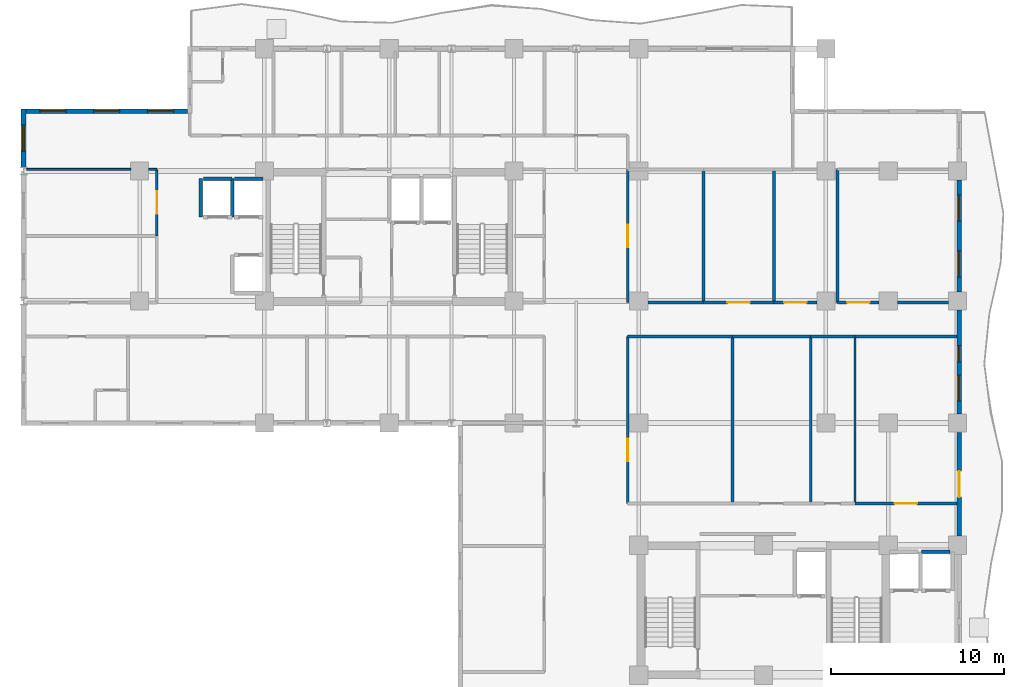
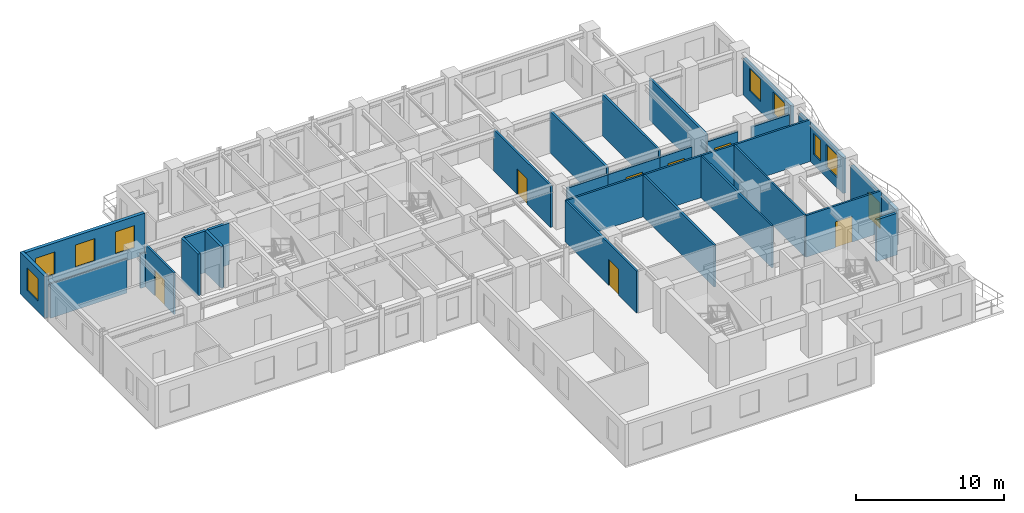
# One storey, part 7 of 13: 31 walls, 8 doors, 8 windows, 16 openings.
"""IFC4 building model written with IfcOpenShell, lengths in metres."""

from ifc_helpers import new_model, si_unit, direction, frame, frame_2d, origin, place, context, subcontext, project, spatial, rectangle, extrude, material, layer, layer_set, type_object, element, fill, save


model = new_model("IFC4")

# Units and contexts
model_context = context("Model", 3, precision=1e-05, world=origin(), true_north=direction((0.0, 1.0)))
body_context = subcontext(model_context, "Body", "Model", "MODEL_VIEW")
ifc_project = project(units=[si_unit("LENGTHUNIT", "METRE"), si_unit("AREAUNIT", "SQUARE_METRE"), si_unit("VOLUMEUNIT", "CUBIC_METRE"), si_unit("PLANEANGLEUNIT", "RADIAN"), si_unit("MASSUNIT", "GRAM", prefix="KILO")], contexts=[model_context])

# Site, building, storey
site_placement = place(None, origin())
site = spatial("IfcSite", under=ifc_project, at=site_placement, CompositionType="ELEMENT")
building_placement = place(site_placement, origin())
building = spatial("IfcBuilding", under=site, at=building_placement, Name="Kaliganga Portal Commons", CompositionType="ELEMENT")
storey_placement = place(building_placement, frame((0.0, 0.0, 177.199951171875)))
storey = spatial("IfcBuildingStorey", under=building, at=storey_placement, Name="L45", CompositionType="ELEMENT", Elevation=177.199951171875)

# Wall, opening, door
ifc_material_1 = material(Name="Insulated Aluminium-Clad Spandrel Assembly", Category="aluminium")
ifc_layer_1 = layer(ifc_material_1, 0.260009765625)
ifc_layer_set_1 = layer_set([ifc_layer_1], Name="Insulated Aluminium-Clad Spandrel Assembly")
wall_type_1 = type_object("IfcWallType", Name="WL-EXT-SPAND-260", PredefinedType="STANDARD", material=ifc_layer_set_1)
wall_1_placement = place(storey_placement, frame((54.5, 21.073974609375, 0.0), z_axis=(0.0, 0.0, 1.0), x_axis=(0.0, -1.0, 0.0)))
wall_1 = element("IfcWall", 1, at=wall_1_placement, inside=storey, type_object=wall_type_1, Name="Exterior Envelope Wall L45 P1-E03-S3", PredefinedType="STANDARD", context=body_context, shape_type="SweptSolid", body=[
    extrude(rectangle(XDim=5.998046875, YDim=0.260009765625, at=frame_2d((2.9990234375, 0.0))), origin(), (0.0, 0.0, 1.0), 2.989990234375),
])
opening_1_placement = place(wall_1_placement, frame((2.2490234375, 0.0, 0.0)))
opening_1 = element("IfcOpeningElement", 2, at=opening_1_placement, cuts=wall_1, Name="Opening BD-01", PredefinedType="OPENING", context=body_context, shape_type="SweptSolid", body=[
    extrude(rectangle(XDim=1.5, YDim=2.14990234375, at=frame_2d((0.75, 1.074951171875))), frame((0.0, 0.14013671875, 0.0), z_axis=(0.0, -1.0, 0.0), x_axis=(1.0, 0.0, 0.0)), (0.0, 0.0, 1.0), 0.280029296875),
])
ifc_material_2 = material(Name="Anodized Aluminium and Laminated Safety Glass", Category="aluminium")
door_type_1 = type_object("IfcDoorType", Name="DR-BALC-1500", OperationType="SLIDING_TO_LEFT", PredefinedType="DOOR", material=ifc_material_2)
door_1_placement = place(opening_1_placement, origin())
door_1 = element("IfcDoor", 3, at=door_1_placement, inside=storey, type_object=door_type_1, Name="Balcony Sliding Door L45 balc_east", OperationType="SLIDING_TO_LEFT", OverallHeight=2.14990234375, OverallWidth=1.5, PredefinedType="DOOR", context=body_context, shape_type="SweptSolid", body=[
    extrude(rectangle(XDim=1.5, YDim=2.14990234375, at=frame_2d((0.75, 1.074951171875))), frame((0.0, 0.02490234375, 0.0), z_axis=(0.0, -1.0, 0.0), x_axis=(1.0, 0.0, 0.0)), (0.0, 0.0, 1.0), 0.050048828125),
])
fill(opening_1, door_1)

# Wall, openings, windows
wall_2_placement = place(storey_placement, frame((54.5, 28.1240234375, 0.0), z_axis=(0.0, 0.0, 1.0), x_axis=(0.0, -1.0, 0.0)))
wall_2 = element("IfcWall", 4, at=wall_2_placement, inside=storey, type_object=wall_type_1, Name="Exterior Envelope Wall L45 P1-E03-S4", PredefinedType="STANDARD", context=body_context, shape_type="SweptSolid", body=[
    extrude(rectangle(XDim=5.998046875, YDim=0.260009765625, at=frame_2d((2.9990234375, 0.0))), origin(), (0.0, 0.0, 1.0), 2.989990234375),
])
opening_2_placement = place(wall_2_placement, frame((3.74853515625, 0.0, 0.85009765625)))
opening_2 = element("IfcOpeningElement", 5, at=opening_2_placement, cuts=wall_2, Name="Opening W-02", PredefinedType="OPENING", context=body_context, shape_type="SweptSolid", body=[
    extrude(rectangle(XDim=1.5, YDim=1.85009765625, at=frame_2d((0.75, 0.925048828125))), frame((0.0, 0.14013671875, 0.0), z_axis=(0.0, -1.0, 0.0), x_axis=(1.0, 0.0, 0.0)), (0.0, 0.0, 1.0), 0.280029296875),
])
opening_3_placement = place(wall_2_placement, frame((2.044189453125, 0.0, 0.85009765625)))
opening_3 = element("IfcOpeningElement", 6, at=opening_3_placement, cuts=wall_2, Name="Opening W-04", PredefinedType="OPENING", context=body_context, shape_type="SweptSolid", body=[
    extrude(rectangle(XDim=0.949951171875, YDim=1.75, at=frame_2d((0.47509765625, 0.875))), frame((0.0, 0.14013671875, 0.0), z_axis=(0.0, -1.0, 0.0), x_axis=(1.0, 0.0, 0.0)), (0.0, 0.0, 1.0), 0.280029296875),
])
ifc_material_3 = material(Name="Thermally Broken Aluminium and Low-E Double Glazing", Category="aluminium")
window_type_1 = type_object("IfcWindowType", Name="WIN-NARROW-950", PartitioningType="SINGLE_PANEL", PredefinedType="WINDOW", material=ifc_material_3)
window_1_placement = place(opening_3_placement, origin())
window_1 = element("IfcWindow", 7, at=window_1_placement, inside=storey, type_object=window_type_1, Name="Facade Window L45-P1E03S4-N5", OverallHeight=1.75, OverallWidth=0.949951171875, PartitioningType="SINGLE_PANEL", PredefinedType="WINDOW", context=body_context, shape_type="SweptSolid", body=[
    extrude(rectangle(XDim=0.949951171875, YDim=1.75, at=frame_2d((0.47509765625, 0.875))), frame((0.0, 0.030029296875, 0.0), z_axis=(0.0, -1.0, 0.0), x_axis=(1.0, 0.0, 0.0)), (0.0, 0.0, 1.0), 0.06005859375),
])
fill(opening_3, window_1)
window_type_2 = type_object("IfcWindowType", Name="WIN-STD-1500", PartitioningType="DOUBLE_PANEL_VERTICAL", PredefinedType="WINDOW", material=ifc_material_3)
window_2_placement = place(opening_2_placement, origin())
window_2 = element("IfcWindow", 8, at=window_2_placement, inside=storey, type_object=window_type_2, Name="Facade Window L45-P1E03S4-01", OverallHeight=1.85009765625, OverallWidth=1.5, PartitioningType="SINGLE_PANEL", PredefinedType="WINDOW", context=body_context, shape_type="SweptSolid", body=[
    extrude(rectangle(XDim=1.5, YDim=1.85009765625, at=frame_2d((0.75, 0.925048828125))), frame((0.0, 0.030029296875, 0.0), z_axis=(0.0, -1.0, 0.0), x_axis=(1.0, 0.0, 0.0)), (0.0, 0.0, 1.0), 0.06005859375),
])
fill(opening_2, window_2)

wall_3_placement = place(storey_placement, frame((54.5, 35.6240234375, 0.0), z_axis=(0.0, 0.0, 1.0), x_axis=(0.0, -1.0, 0.0)))
wall_3 = element("IfcWall", 9, at=wall_3_placement, inside=storey, type_object=wall_type_1, Name="Exterior Envelope Wall L45 P1-E03-S5", PredefinedType="STANDARD", context=body_context, shape_type="SweptSolid", body=[
    extrude(rectangle(XDim=6.447998046875, YDim=0.260009765625, at=frame_2d((3.22412109375, 0.0))), origin(), (0.0, 0.0, 1.0), 2.989990234375),
])
opening_4_placement = place(wall_3_placement, frame((0.862060546875, 0.0, 0.85009765625)))
opening_4 = element("IfcOpeningElement", 10, at=opening_4_placement, cuts=wall_3, Name="Opening W-02", PredefinedType="OPENING", context=body_context, shape_type="SweptSolid", body=[
    extrude(rectangle(XDim=1.5, YDim=1.85009765625, at=frame_2d((0.75, 0.925048828125))), frame((0.0, 0.14013671875, 0.0), z_axis=(0.0, -1.0, 0.0), x_axis=(1.0, 0.0, 0.0)), (0.0, 0.0, 1.0), 0.280029296875),
])
opening_5_placement = place(wall_3_placement, frame((4.0859375, 0.0, 0.85009765625)))
opening_5 = element("IfcOpeningElement", 11, at=opening_5_placement, cuts=wall_3, Name="Opening W-02", PredefinedType="OPENING", context=body_context, shape_type="SweptSolid", body=[
    extrude(rectangle(XDim=1.5, YDim=1.85009765625, at=frame_2d((0.75, 0.925048828125))), frame((0.0, 0.14013671875, 0.0), z_axis=(0.0, -1.0, 0.0), x_axis=(1.0, 0.0, 0.0)), (0.0, 0.0, 1.0), 0.280029296875),
])
window_3_placement = place(opening_4_placement, origin())
window_3 = element("IfcWindow", 12, at=window_3_placement, inside=storey, type_object=window_type_2, Name="Facade Window L45-P1E03S5-00", OverallHeight=1.85009765625, OverallWidth=1.5, PartitioningType="SINGLE_PANEL", PredefinedType="WINDOW", context=body_context, shape_type="SweptSolid", body=[
    extrude(rectangle(XDim=1.5, YDim=1.85009765625, at=frame_2d((0.75, 0.925048828125))), frame((0.0, 0.030029296875, 0.0), z_axis=(0.0, -1.0, 0.0), x_axis=(1.0, 0.0, 0.0)), (0.0, 0.0, 1.0), 0.06005859375),
])
fill(opening_4, window_3)
window_4_placement = place(opening_5_placement, origin())
window_4 = element("IfcWindow", 13, at=window_4_placement, inside=storey, type_object=window_type_2, Name="Facade Window L45-P1E03S5-01", OverallHeight=1.85009765625, OverallWidth=1.5, PartitioningType="SINGLE_PANEL", PredefinedType="WINDOW", context=body_context, shape_type="SweptSolid", body=[
    extrude(rectangle(XDim=1.5, YDim=1.85009765625, at=frame_2d((0.75, 0.925048828125))), frame((0.0, 0.030029296875, 0.0), z_axis=(0.0, -1.0, 0.0), x_axis=(1.0, 0.0, 0.0)), (0.0, 0.0, 1.0), 0.06005859375),
])
fill(opening_5, window_4)

wall_4_placement = place(storey_placement, frame((0.635009765625, 39.60009765625, 0.0), z_axis=(0.0, 0.0, 1.0), x_axis=(1.0, 0.0, 0.0)))
wall_4 = element("IfcWall", 14, at=wall_4_placement, inside=storey, type_object=wall_type_1, Name="Exterior Envelope Wall L45 P1-E08-S1", PredefinedType="STANDARD", context=body_context, shape_type="SweptSolid", body=[
    extrude(rectangle(XDim=9.330078125, YDim=0.260009765625, at=frame_2d((4.6650390625, 0.0))), origin(), (0.0, 0.0, 1.0), 3.43994140625),
])
opening_6_placement = place(wall_4_placement, frame((0.804931640625, 0.0, 0.85009765625)))
opening_6 = element("IfcOpeningElement", 15, at=opening_6_placement, cuts=wall_4, Name="Opening W-02", PredefinedType="OPENING", context=body_context, shape_type="SweptSolid", body=[
    extrude(rectangle(XDim=1.5, YDim=1.85009765625, at=frame_2d((0.75, 0.925048828125))), frame((0.0, 0.14013671875, 0.0), z_axis=(0.0, -1.0, 0.0), x_axis=(1.0, 0.0, 0.0)), (0.0, 0.0, 1.0), 0.280029296875),
])
opening_7_placement = place(wall_4_placement, frame((3.9150390625, 0.0, 0.85009765625)))
opening_7 = element("IfcOpeningElement", 16, at=opening_7_placement, cuts=wall_4, Name="Opening W-02", PredefinedType="OPENING", context=body_context, shape_type="SweptSolid", body=[
    extrude(rectangle(XDim=1.5, YDim=1.85009765625, at=frame_2d((0.75, 0.925048828125))), frame((0.0, 0.14013671875, 0.0), z_axis=(0.0, -1.0, 0.0), x_axis=(1.0, 0.0, 0.0)), (0.0, 0.0, 1.0), 0.280029296875),
])
opening_8_placement = place(wall_4_placement, frame((7.02490234375, 0.0, 0.85009765625)))
opening_8 = element("IfcOpeningElement", 17, at=opening_8_placement, cuts=wall_4, Name="Opening W-02", PredefinedType="OPENING", context=body_context, shape_type="SweptSolid", body=[
    extrude(rectangle(XDim=1.5, YDim=1.85009765625, at=frame_2d((0.75, 0.925048828125))), frame((0.0, 0.14013671875, 0.0), z_axis=(0.0, -1.0, 0.0), x_axis=(1.0, 0.0, 0.0)), (0.0, 0.0, 1.0), 0.280029296875),
])
window_5_placement = place(opening_6_placement, origin())
window_5 = element("IfcWindow", 18, at=window_5_placement, inside=storey, type_object=window_type_2, Name="Facade Window L45-P1E08S1-00", OverallHeight=1.85009765625, OverallWidth=1.5, PartitioningType="SINGLE_PANEL", PredefinedType="WINDOW", context=body_context, shape_type="SweptSolid", body=[
    extrude(rectangle(XDim=1.5, YDim=1.85009765625, at=frame_2d((0.75, 0.925048828125))), frame((0.0, 0.030029296875, 0.0), z_axis=(0.0, -1.0, 0.0), x_axis=(1.0, 0.0, 0.0)), (0.0, 0.0, 1.0), 0.06005859375),
])
fill(opening_6, window_5)
window_6_placement = place(opening_7_placement, origin())
window_6 = element("IfcWindow", 19, at=window_6_placement, inside=storey, type_object=window_type_2, Name="Facade Window L45-P1E08S1-01", OverallHeight=1.85009765625, OverallWidth=1.5, PartitioningType="SINGLE_PANEL", PredefinedType="WINDOW", context=body_context, shape_type="SweptSolid", body=[
    extrude(rectangle(XDim=1.5, YDim=1.85009765625, at=frame_2d((0.75, 0.925048828125))), frame((0.0, 0.030029296875, 0.0), z_axis=(0.0, -1.0, 0.0), x_axis=(1.0, 0.0, 0.0)), (0.0, 0.0, 1.0), 0.06005859375),
])
fill(opening_7, window_6)
window_7_placement = place(opening_8_placement, origin())
window_7 = element("IfcWindow", 20, at=window_7_placement, inside=storey, type_object=window_type_2, Name="Facade Window L45-P1E08S1-02", OverallHeight=1.85009765625, OverallWidth=1.5, PartitioningType="SINGLE_PANEL", PredefinedType="WINDOW", context=body_context, shape_type="SweptSolid", body=[
    extrude(rectangle(XDim=1.5, YDim=1.85009765625, at=frame_2d((0.75, 0.925048828125))), frame((0.0, 0.030029296875, 0.0), z_axis=(0.0, -1.0, 0.0), x_axis=(1.0, 0.0, 0.0)), (0.0, 0.0, 1.0), 0.06005859375),
])
fill(opening_8, window_7)

# Wall, opening, window
wall_5_placement = place(storey_placement, frame((0.5, 36.35791015625, 0.0), z_axis=(0.0, 0.0, 1.0), x_axis=(0.0, 1.0, 0.0)))
wall_5 = element("IfcWall", 21, at=wall_5_placement, inside=storey, type_object=wall_type_1, Name="Exterior Envelope Wall L45 P1-E09-S1", PredefinedType="STANDARD", context=body_context, shape_type="SweptSolid", body=[
    extrude(rectangle(XDim=3.3720703125, YDim=0.260009765625, at=frame_2d((1.68603515625, 0.0))), origin(), (0.0, 0.0, 1.0), 3.43994140625),
])
opening_9_placement = place(wall_5_placement, frame((0.93603515625, 0.0, 0.85009765625)))
opening_9 = element("IfcOpeningElement", 22, at=opening_9_placement, cuts=wall_5, Name="Opening W-02", PredefinedType="OPENING", context=body_context, shape_type="SweptSolid", body=[
    extrude(rectangle(XDim=1.5, YDim=1.85009765625, at=frame_2d((0.75, 0.925048828125))), frame((0.0, 0.14013671875, 0.0), z_axis=(0.0, -1.0, 0.0), x_axis=(1.0, 0.0, 0.0)), (0.0, 0.0, 1.0), 0.280029296875),
])
window_8_placement = place(opening_9_placement, origin())
window_8 = element("IfcWindow", 23, at=window_8_placement, inside=storey, type_object=window_type_2, Name="Facade Window L45-P1E09S1-00", OverallHeight=1.85009765625, OverallWidth=1.5, PartitioningType="SINGLE_PANEL", PredefinedType="WINDOW", context=body_context, shape_type="SweptSolid", body=[
    extrude(rectangle(XDim=1.5, YDim=1.85009765625, at=frame_2d((0.75, 0.925048828125))), frame((0.0, 0.030029296875, 0.0), z_axis=(0.0, -1.0, 0.0), x_axis=(1.0, 0.0, 0.0)), (0.0, 0.0, 1.0), 0.06005859375),
])
fill(opening_9, window_8)

# Wall, opening, door
ifc_material_4 = material(Name="Fire-Rated Gypsum Board on Steel Stud", Category="steel")
ifc_layer_2 = layer(ifc_material_4, 0.14990234375)
ifc_layer_set_2 = layer_set([ifc_layer_2], Name="Fire-Rated Gypsum Board on Steel Stud")
wall_type_2 = type_object("IfcWallType", Name="WL-PART-CORR-150", PredefinedType="PARTITIONING", material=ifc_layer_set_2)
wall_6_placement = place(storey_placement, frame((35.360107421875, 16.9599609375, 0.0), z_axis=(0.0, 0.0, 1.0), x_axis=(0.0, 1.0, 0.0)))
wall_6 = element("IfcWall", 24, at=wall_6_placement, inside=storey, type_object=wall_type_2, Name="Interior Partition L45-007", PredefinedType="PARTITIONING", context=body_context, shape_type="SweptSolid", body=[
    extrude(rectangle(XDim=9.64013671875, YDim=0.14990234375, at=frame_2d((4.820068359375, 0.0))), origin(), (0.0, 0.0, 1.0), 3.43994140625),
])
opening_10_placement = place(wall_6_placement, frame((2.434814453125, 0.0, 0.0)))
opening_10 = element("IfcOpeningElement", 25, at=opening_10_placement, cuts=wall_6, Name="Opening RD-03", PredefinedType="OPENING", context=body_context, shape_type="SweptSolid", body=[
    extrude(rectangle(XDim=1.300048828125, YDim=2.1201171875, at=frame_2d((0.64990234375, 1.06005859375))), frame((0.0, 0.0849609375, 0.0), z_axis=(0.0, -1.0, 0.0), x_axis=(1.0, 0.0, 0.0)), (0.0, 0.0, 1.0), 0.169921875),
])
ifc_material_5 = material(Name="Glazed Timber Seminar Vision Door", Category="wood")
door_type_2 = type_object("IfcDoorType", Name="DR-STUDY-1300", OperationType="DOUBLE_DOOR_SINGLE_SWING", PredefinedType="DOOR", material=ifc_material_5)
door_2_placement = place(opening_10_placement, origin())
door_2 = element("IfcDoor", 26, at=door_2_placement, inside=storey, type_object=door_type_2, Name="Interior Door L45-BM01", OperationType="DOUBLE_DOOR_SINGLE_SWING", OverallHeight=2.1201171875, OverallWidth=1.300048828125, PredefinedType="DOOR", context=body_context, shape_type="SweptSolid", body=[
    extrude(rectangle(XDim=1.300048828125, YDim=2.1201171875, at=frame_2d((0.64990234375, 1.06005859375))), frame((0.0, 0.02490234375, 0.0), z_axis=(0.0, -1.0, 0.0), x_axis=(1.0, 0.0, 0.0)), (0.0, 0.0, 1.0), 0.050048828125),
])
fill(opening_10, door_2)

wall_7_placement = place(storey_placement, frame((35.360107421875, 28.56005859375, 0.0), z_axis=(0.0, 0.0, 1.0), x_axis=(0.0, 1.0, 0.0)))
wall_7 = element("IfcWall", 27, at=wall_7_placement, inside=storey, type_object=wall_type_2, Name="Interior Partition L45-011", PredefinedType="PARTITIONING", context=body_context, shape_type="SweptSolid", body=[
    extrude(rectangle(XDim=7.679931640625, YDim=0.14990234375, at=frame_2d((3.83984375, 0.0))), origin(), (0.0, 0.0, 1.0), 3.43994140625),
])
opening_11_placement = place(wall_7_placement, frame((3.18994140625, 0.0, 0.0)))
opening_11 = element("IfcOpeningElement", 28, at=opening_11_placement, cuts=wall_7, Name="Opening RD-03", PredefinedType="OPENING", context=body_context, shape_type="SweptSolid", body=[
    extrude(rectangle(XDim=1.300048828125, YDim=2.1201171875, at=frame_2d((0.64990234375, 1.06005859375))), frame((0.0, 0.0849609375, 0.0), z_axis=(0.0, -1.0, 0.0), x_axis=(1.0, 0.0, 0.0)), (0.0, 0.0, 1.0), 0.169921875),
])
door_3_placement = place(opening_11_placement, origin())
door_3 = element("IfcDoor", 29, at=door_3_placement, inside=storey, type_object=door_type_2, Name="Interior Door L45-BK01", OperationType="DOUBLE_DOOR_SINGLE_SWING", OverallHeight=2.1201171875, OverallWidth=1.300048828125, PredefinedType="DOOR", context=body_context, shape_type="SweptSolid", body=[
    extrude(rectangle(XDim=1.300048828125, YDim=2.1201171875, at=frame_2d((0.64990234375, 1.06005859375))), frame((0.0, 0.02490234375, 0.0), z_axis=(0.0, -1.0, 0.0), x_axis=(1.0, 0.0, 0.0)), (0.0, 0.0, 1.0), 0.050048828125),
])
fill(opening_11, door_3)

wall_8_placement = place(storey_placement, frame((47.47998046875, 28.56005859375, 0.0), z_axis=(0.0, 0.0, 1.0), x_axis=(1.0, 0.0, 0.0)))
wall_8 = element("IfcWall", 30, at=wall_8_placement, inside=storey, type_object=wall_type_2, Name="Interior Partition L45-014", PredefinedType="PARTITIONING", context=body_context, shape_type="SweptSolid", body=[
    extrude(rectangle(XDim=2.39501953125, YDim=0.14990234375, at=frame_2d((1.197509765625, 0.0))), origin(), (0.0, 0.0, 1.0), 2.840087890625),
])
opening_12_placement = place(wall_8_placement, frame((0.547607421875, 0.0, 0.0)))
opening_12 = element("IfcOpeningElement", 31, at=opening_12_placement, cuts=wall_8, Name="Opening RD-03", PredefinedType="OPENING", context=body_context, shape_type="SweptSolid", body=[
    extrude(rectangle(XDim=1.300048828125, YDim=2.1201171875, at=frame_2d((0.64990234375, 1.06005859375))), frame((0.0, 0.0849609375, 0.0), z_axis=(0.0, -1.0, 0.0), x_axis=(1.0, 0.0, 0.0)), (0.0, 0.0, 1.0), 0.169921875),
])
door_4_placement = place(opening_12_placement, origin())
door_4 = element("IfcDoor", 32, at=door_4_placement, inside=storey, type_object=door_type_2, Name="Interior Door L45-BK04", OperationType="DOUBLE_DOOR_SINGLE_SWING", OverallHeight=2.1201171875, OverallWidth=1.300048828125, PredefinedType="DOOR", context=body_context, shape_type="SweptSolid", body=[
    extrude(rectangle(XDim=1.300048828125, YDim=2.1201171875, at=frame_2d((0.64990234375, 1.06005859375))), frame((0.0, 0.02490234375, 0.0), z_axis=(0.0, -1.0, 0.0), x_axis=(1.0, 0.0, 0.0)), (0.0, 0.0, 1.0), 0.050048828125),
])
fill(opening_12, door_4)

# Walls
wall_9_placement = place(storey_placement, frame((50.925048828125, 28.56005859375, 0.0), z_axis=(0.0, 0.0, 1.0), x_axis=(1.0, 0.0, 0.0)))
element("IfcWall", 33, at=wall_9_placement, inside=storey, type_object=wall_type_2, Name="Interior Partition L45-015", PredefinedType="PARTITIONING", context=body_context, shape_type="SweptSolid", body=[
    extrude(rectangle(XDim=2.949951171875, YDim=0.14990234375, at=frame_2d((1.47509765625, 0.0))), origin(), (0.0, 0.0, 1.0), 2.840087890625),
])
wall_10_placement = place(storey_placement, frame((35.360107421875, 26.60009765625, 0.0), z_axis=(0.0, 0.0, 1.0), x_axis=(1.0, 0.0, 0.0)))
element("IfcWall", 34, at=wall_10_placement, inside=storey, type_object=wall_type_2, Name="Interior Partition L45-017", PredefinedType="PARTITIONING", context=body_context, shape_type="SweptSolid", body=[
    extrude(rectangle(XDim=6.059814453125, YDim=0.14990234375, at=frame_2d((3.02978515625, 0.0))), origin(), (0.0, 0.0, 1.0), 3.43994140625),
])

# Wall, opening, door
wall_11_placement = place(storey_placement, frame((48.47998046875, 16.9599609375, 0.0), z_axis=(0.0, 0.0, 1.0), x_axis=(1.0, 0.0, 0.0)))
wall_11 = element("IfcWall", 35, at=wall_11_placement, inside=storey, type_object=wall_type_2, Name="Interior Partition L45-020", PredefinedType="PARTITIONING", context=body_context, shape_type="SweptSolid", body=[
    extrude(rectangle(XDim=5.887939453125, YDim=0.14990234375, at=frame_2d((2.94384765625, 0.0))), origin(), (0.0, 0.0, 1.0), 3.43994140625),
])
opening_13_placement = place(wall_11_placement, frame((2.2939453125, 0.0, 0.0)))
opening_13 = element("IfcOpeningElement", 36, at=opening_13_placement, cuts=wall_11, Name="Opening RD-03", PredefinedType="OPENING", context=body_context, shape_type="SweptSolid", body=[
    extrude(rectangle(XDim=1.300048828125, YDim=2.1201171875, at=frame_2d((0.64990234375, 1.06005859375))), frame((0.0, 0.0849609375, 0.0), z_axis=(0.0, -1.0, 0.0), x_axis=(1.0, 0.0, 0.0)), (0.0, 0.0, 1.0), 0.169921875),
])
door_5_placement = place(opening_13_placement, origin())
door_5 = element("IfcDoor", 37, at=door_5_placement, inside=storey, type_object=door_type_2, Name="Interior Door L45-BM04", OperationType="DOUBLE_DOOR_SINGLE_SWING", OverallHeight=2.1201171875, OverallWidth=1.300048828125, PredefinedType="DOOR", context=body_context, shape_type="SweptSolid", body=[
    extrude(rectangle(XDim=1.300048828125, YDim=2.1201171875, at=frame_2d((0.64990234375, 1.06005859375))), frame((0.0, 0.02490234375, 0.0), z_axis=(0.0, -1.0, 0.0), x_axis=(1.0, 0.0, 0.0)), (0.0, 0.0, 1.0), 0.050048828125),
])
fill(opening_13, door_5)

# Walls
wall_12_placement = place(storey_placement, frame((48.47998046875, 26.60009765625, 0.0), z_axis=(0.0, 0.0, 1.0), x_axis=(1.0, 0.0, 0.0)))
element("IfcWall", 38, at=wall_12_placement, inside=storey, type_object=wall_type_2, Name="Interior Partition L45-021", PredefinedType="PARTITIONING", context=body_context, shape_type="SweptSolid", body=[
    extrude(rectangle(XDim=5.887939453125, YDim=0.14990234375, at=frame_2d((2.94384765625, 0.0))), origin(), (0.0, 0.0, 1.0), 3.43994140625),
])
wall_13_placement = place(storey_placement, frame((41.419921875, 26.60009765625, 0.0), z_axis=(0.0, 0.0, 1.0), x_axis=(1.0, 0.0, 0.0)))
element("IfcWall", 39, at=wall_13_placement, inside=storey, type_object=wall_type_2, Name="Interior Partition L45-030", PredefinedType="PARTITIONING", context=body_context, shape_type="SweptSolid", body=[
    extrude(rectangle(XDim=4.5, YDim=0.14990234375, at=frame_2d((2.25, 0.0))), origin(), (0.0, 0.0, 1.0), 3.43994140625),
])
wall_14_placement = place(storey_placement, frame((36.52490234375, 28.56005859375, 0.0), z_axis=(0.0, 0.0, 1.0), x_axis=(1.0, 0.0, 0.0)))
element("IfcWall", 40, at=wall_14_placement, inside=storey, type_object=wall_type_2, Name="Interior Partition L45-031", PredefinedType="PARTITIONING", context=body_context, shape_type="SweptSolid", body=[
    extrude(rectangle(XDim=3.215087890625, YDim=0.14990234375, at=frame_2d((1.607421875, 0.0))), origin(), (0.0, 0.0, 1.0), 2.840087890625),
])

# Wall, opening, door
wall_15_placement = place(storey_placement, frame((39.739990234375, 28.56005859375, 0.0), z_axis=(0.0, 0.0, 1.0), x_axis=(1.0, 0.0, 0.0)))
wall_15 = element("IfcWall", 41, at=wall_15_placement, inside=storey, type_object=wall_type_2, Name="Interior Partition L45-032", PredefinedType="PARTITIONING", context=body_context, shape_type="SweptSolid", body=[
    extrude(rectangle(XDim=4.06005859375, YDim=0.14990234375, at=frame_2d((2.030029296875, 0.0))), origin(), (0.0, 0.0, 1.0), 2.840087890625),
])
opening_14_placement = place(wall_15_placement, frame((1.3798828125, 0.0, 0.0)))
opening_14 = element("IfcOpeningElement", 42, at=opening_14_placement, cuts=wall_15, Name="Opening RD-03", PredefinedType="OPENING", context=body_context, shape_type="SweptSolid", body=[
    extrude(rectangle(XDim=1.300048828125, YDim=2.1201171875, at=frame_2d((0.64990234375, 1.06005859375))), frame((0.0, 0.0849609375, 0.0), z_axis=(0.0, -1.0, 0.0), x_axis=(1.0, 0.0, 0.0)), (0.0, 0.0, 1.0), 0.169921875),
])
door_6_placement = place(opening_14_placement, origin())
door_6 = element("IfcDoor", 43, at=door_6_placement, inside=storey, type_object=door_type_2, Name="Interior Door L45-BK02", OperationType="DOUBLE_DOOR_SINGLE_SWING", OverallHeight=2.1201171875, OverallWidth=1.300048828125, PredefinedType="DOOR", context=body_context, shape_type="SweptSolid", body=[
    extrude(rectangle(XDim=1.300048828125, YDim=2.1201171875, at=frame_2d((0.64990234375, 1.06005859375))), frame((0.0, 0.02490234375, 0.0), z_axis=(0.0, -1.0, 0.0), x_axis=(1.0, 0.0, 0.0)), (0.0, 0.0, 1.0), 0.050048828125),
])
fill(opening_14, door_6)

wall_16_placement = place(storey_placement, frame((8.199951171875, 32.39990234375, 0.0), z_axis=(0.0, 0.0, 1.0), x_axis=(0.0, 1.0, 0.0)))
wall_16 = element("IfcWall", 44, at=wall_16_placement, inside=storey, type_object=wall_type_2, Name="Interior Partition L45-034", PredefinedType="PARTITIONING", context=body_context, shape_type="SweptSolid", body=[
    extrude(rectangle(XDim=3.840087890625, YDim=0.14990234375, at=frame_2d((1.919921875, 0.0))), origin(), (0.0, 0.0, 1.0), 3.43994140625),
])
opening_15_placement = place(wall_16_placement, frame((1.27001953125, 0.0, 0.0)))
opening_15 = element("IfcOpeningElement", 45, at=opening_15_placement, cuts=wall_16, Name="Opening RD-03", PredefinedType="OPENING", context=body_context, shape_type="SweptSolid", body=[
    extrude(rectangle(XDim=1.300048828125, YDim=2.1201171875, at=frame_2d((0.64990234375, 1.06005859375))), frame((0.0, 0.0849609375, 0.0), z_axis=(0.0, -1.0, 0.0), x_axis=(1.0, 0.0, 0.0)), (0.0, 0.0, 1.0), 0.169921875),
])
door_7_placement = place(opening_15_placement, origin())
door_7 = element("IfcDoor", 46, at=door_7_placement, inside=storey, type_object=door_type_2, Name="Interior Door L45-AW02", OperationType="DOUBLE_DOOR_SINGLE_SWING", OverallHeight=2.1201171875, OverallWidth=1.300048828125, PredefinedType="DOOR", context=body_context, shape_type="SweptSolid", body=[
    extrude(rectangle(XDim=1.300048828125, YDim=2.1201171875, at=frame_2d((0.64990234375, 1.06005859375))), frame((0.0, 0.02490234375, 0.0), z_axis=(0.0, -1.0, 0.0), x_axis=(1.0, 0.0, 0.0)), (0.0, 0.0, 1.0), 0.050048828125),
])
fill(opening_15, door_7)

wall_17_placement = place(storey_placement, frame((43.800048828125, 28.56005859375, 0.0), z_axis=(0.0, 0.0, 1.0), x_axis=(1.0, 0.0, 0.0)))
wall_17 = element("IfcWall", 47, at=wall_17_placement, inside=storey, type_object=wall_type_2, Name="Interior Partition L45-038", PredefinedType="PARTITIONING", context=body_context, shape_type="SweptSolid", body=[
    extrude(rectangle(XDim=2.474853515625, YDim=0.14990234375, at=frame_2d((1.2373046875, 0.0))), origin(), (0.0, 0.0, 1.0), 2.840087890625),
])
opening_16_placement = place(wall_17_placement, frame((0.58740234375, 0.0, 0.0)))
opening_16 = element("IfcOpeningElement", 48, at=opening_16_placement, cuts=wall_17, Name="Opening RD-03", PredefinedType="OPENING", context=body_context, shape_type="SweptSolid", body=[
    extrude(rectangle(XDim=1.300048828125, YDim=2.1201171875, at=frame_2d((0.64990234375, 1.06005859375))), frame((0.0, 0.0849609375, 0.0), z_axis=(0.0, -1.0, 0.0), x_axis=(1.0, 0.0, 0.0)), (0.0, 0.0, 1.0), 0.169921875),
])
door_8_placement = place(opening_16_placement, origin())
door_8 = element("IfcDoor", 49, at=door_8_placement, inside=storey, type_object=door_type_2, Name="Interior Door L45-BK03", OperationType="DOUBLE_DOOR_SINGLE_SWING", OverallHeight=2.1201171875, OverallWidth=1.300048828125, PredefinedType="DOOR", context=body_context, shape_type="SweptSolid", body=[
    extrude(rectangle(XDim=1.300048828125, YDim=2.1201171875, at=frame_2d((0.64990234375, 1.06005859375))), frame((0.0, 0.02490234375, 0.0), z_axis=(0.0, -1.0, 0.0), x_axis=(1.0, 0.0, 0.0)), (0.0, 0.0, 1.0), 0.050048828125),
])
fill(opening_16, door_8)

# Walls
wall_18_placement = place(storey_placement, frame((45.919921875, 26.60009765625, 0.0), z_axis=(0.0, 0.0, 1.0), x_axis=(1.0, 0.0, 0.0)))
element("IfcWall", 50, at=wall_18_placement, inside=storey, type_object=wall_type_2, Name="Interior Partition L45-043", PredefinedType="PARTITIONING", context=body_context, shape_type="SweptSolid", body=[
    extrude(rectangle(XDim=2.56005859375, YDim=0.14990234375, at=frame_2d((1.280029296875, 0.0))), origin(), (0.0, 0.0, 1.0), 3.43994140625),
])
ifc_material_6 = material(Name="Moisture-Resistant Gypsum Partition", Category="gypsum")
ifc_layer_3 = layer(ifc_material_6, 0.114990234375)
ifc_layer_set_3 = layer_set([ifc_layer_3], Name="Moisture-Resistant Gypsum Partition")
wall_type_3 = type_object("IfcWallType", Name="WL-PART-ROOM-115", PredefinedType="PARTITIONING", material=ifc_layer_set_3)
wall_19_placement = place(storey_placement, frame((0.701904296875, 36.239990234375, 0.0), z_axis=(0.0, 0.0, 1.0), x_axis=(1.0, 0.0, 0.0)))
element("IfcWall", 51, at=wall_19_placement, inside=storey, type_object=wall_type_3, Name="Interior Partition L45-056", PredefinedType="PARTITIONING", context=body_context, shape_type="SweptSolid", body=[
    extrude(rectangle(XDim=5.97314453125, YDim=0.114990234375, at=frame_2d((2.986572265625, 0.0))), origin(), (0.0, 0.0, 1.0), 2.840087890625),
])
wall_20_placement = place(storey_placement, frame((7.72509765625, 36.239990234375, 0.0), z_axis=(0.0, 0.0, 1.0), x_axis=(1.0, 0.0, 0.0)))
element("IfcWall", 52, at=wall_20_placement, inside=storey, type_object=wall_type_3, Name="Interior Partition L45-057", PredefinedType="PARTITIONING", context=body_context, shape_type="SweptSolid", body=[
    extrude(rectangle(XDim=0.474853515625, YDim=0.114990234375, at=frame_2d((0.2373046875, 0.0))), origin(), (0.0, 0.0, 1.0), 2.840087890625),
])
ifc_material_7 = material(Name="Twin-Stud Acoustic Gypsum Partition", Category="gypsum")
ifc_layer_4 = layer(ifc_material_7, 0.1650390625)
ifc_layer_set_4 = layer_set([ifc_layer_4], Name="Twin-Stud Acoustic Gypsum Partition")
wall_type_4 = type_object("IfcWallType", Name="WL-PART-UNIT-165", PredefinedType="PARTITIONING", material=ifc_layer_set_4)
wall_21_placement = place(storey_placement, frame((41.419921875, 16.9599609375, 0.0), z_axis=(0.0, 0.0, 1.0), x_axis=(0.0, 1.0, 0.0)))
element("IfcWall", 53, at=wall_21_placement, inside=storey, type_object=wall_type_4, Name="Interior Partition L45-052", PredefinedType="PARTITIONING", context=body_context, shape_type="SweptSolid", body=[
    extrude(rectangle(XDim=9.64013671875, YDim=0.1650390625, at=frame_2d((4.820068359375, 0.0))), origin(), (0.0, 0.0, 1.0), 3.43994140625),
])
for number, where, z_axis, x_axis, name in (
    (54, (39.739990234375, 28.56005859375, 0.0), (0.0, 0.0, 1.0), (0.0, 1.0, 0.0), "Interior Partition L45-058"),
    (55, (43.800048828125, 28.56005859375, 0.0), (0.0, 0.0, 1.0), (0.0, 1.0, 0.0), "Interior Partition L45-059"),
    (56, (47.47998046875, 28.56005859375, 0.0), (0.0, 0.0, 1.0), (0.0, 1.0, 0.0), "Interior Partition L45-060"),
):
    element("IfcWall", number, at=place(storey_placement, frame(where, z_axis=z_axis, x_axis=x_axis)), inside=storey, type_object=wall_type_4, Name=name, PredefinedType="PARTITIONING", context=body_context, shape_type="SweptSolid", body=[
        extrude(rectangle(XDim=7.679931640625, YDim=0.1650390625, at=frame_2d((3.83984375, 0.0))), origin(), (0.0, 0.0, 1.0), 3.43994140625),
    ])
ifc_material_8 = material(Name="Cement-Board Wet-Room Partition", Category="gypsum")
ifc_layer_5 = layer(ifc_material_8, 0.135009765625)
ifc_layer_set_5 = layer_set([ifc_layer_5], Name="Cement-Board Wet-Room Partition")
wall_type_5 = type_object("IfcWallType", Name="WL-PART-WET-135", PredefinedType="PARTITIONING", material=ifc_layer_set_5)
for number, where, z_axis, x_axis, name in (
    (57, (45.919921875, 16.9599609375, 0.0), (0.0, 0.0, 1.0), (0.0, 1.0, 0.0), "Interior Partition L45-053"),
    (58, (48.47998046875, 16.9599609375, 0.0), (0.0, 0.0, 1.0), (0.0, 1.0, 0.0), "Interior Partition L45-054"),
):
    element("IfcWall", number, at=place(storey_placement, frame(where, z_axis=z_axis, x_axis=x_axis)), inside=storey, type_object=wall_type_5, Name=name, PredefinedType="PARTITIONING", context=body_context, shape_type="SweptSolid", body=[
        extrude(rectangle(XDim=9.64013671875, YDim=0.135009765625, at=frame_2d((4.820068359375, 0.0))), origin(), (0.0, 0.0, 1.0), 3.43994140625),
    ])
ifc_material_9 = material(Name="Fire-Rated Shaftwall Masonry Assembly", Category="masonry")
ifc_layer_6 = layer(ifc_material_9, 0.199951171875)
ifc_layer_set_6 = layer_set([ifc_layer_6], Name="Fire-Rated Shaftwall Masonry Assembly")
wall_type_6 = type_object("IfcWallType", Name="WL-SHAFT-200", PredefinedType="PARTITIONING", material=ifc_layer_set_6)
wall_22_placement = place(storey_placement, frame((12.675048828125, 35.715087890625, 0.0), z_axis=(0.0, 0.0, 1.0), x_axis=(1.0, 0.0, 0.0)))
element("IfcWall", 59, at=wall_22_placement, inside=storey, type_object=wall_type_6, Name="Lift PL-A3 Hoistway Shaft Wall L45-N", PredefinedType="PARTITIONING", context=body_context, shape_type="SweptSolid", body=[
    extrude(rectangle(XDim=1.64990234375, YDim=0.199951171875, at=frame_2d((0.824951171875, 0.0))), origin(), (0.0, 0.0, 1.0), 3.43994140625),
])
wall_23_placement = place(storey_placement, frame((12.534912109375, 33.485107421875, 0.0), z_axis=(0.0, 0.0, 1.0), x_axis=(0.0, 1.0, 0.0)))
element("IfcWall", 60, at=wall_23_placement, inside=storey, type_object=wall_type_6, Name="Lift PL-A3 Hoistway Shaft Wall L45-W", PredefinedType="PARTITIONING", context=body_context, shape_type="SweptSolid", body=[
    extrude(rectangle(XDim=2.22998046875, YDim=0.199951171875, at=frame_2d((1.114990234375, 0.0))), origin(), (0.0, 0.0, 1.0), 3.43994140625),
])
wall_24_placement = place(storey_placement, frame((10.875, 35.715087890625, 0.0), z_axis=(0.0, 0.0, 1.0), x_axis=(1.0, 0.0, 0.0)))
element("IfcWall", 61, at=wall_24_placement, inside=storey, type_object=wall_type_6, Name="Lift PL-OBS Hoistway Shaft Wall L45-N", PredefinedType="PARTITIONING", context=body_context, shape_type="SweptSolid", body=[
    extrude(rectangle(XDim=1.64990234375, YDim=0.199951171875, at=frame_2d((0.824951171875, 0.0))), origin(), (0.0, 0.0, 1.0), 3.43994140625),
])
wall_25_placement = place(storey_placement, frame((10.735107421875, 33.485107421875, 0.0), z_axis=(0.0, 0.0, 1.0), x_axis=(0.0, 1.0, 0.0)))
element("IfcWall", 62, at=wall_25_placement, inside=storey, type_object=wall_type_6, Name="Lift PL-OBS Hoistway Shaft Wall L45-W", PredefinedType="PARTITIONING", context=body_context, shape_type="SweptSolid", body=[
    extrude(rectangle(XDim=2.22998046875, YDim=0.199951171875, at=frame_2d((1.114990234375, 0.0))), origin(), (0.0, 0.0, 1.0), 3.43994140625),
])
wall_26_placement = place(storey_placement, frame((52.324951171875, 14.1650390625, 0.0), z_axis=(0.0, 0.0, 1.0), x_axis=(1.0, 0.0, 0.0)))
element("IfcWall", 63, at=wall_26_placement, inside=storey, type_object=wall_type_6, Name="Lift PL-B4 Hoistway Shaft Wall L45-N", PredefinedType="PARTITIONING", context=body_context, shape_type="SweptSolid", body=[
    extrude(rectangle(XDim=1.650146484375, YDim=0.199951171875, at=frame_2d((0.8251953125, 0.0))), origin(), (0.0, 0.0, 1.0), 3.43994140625),
])

save(model, "model.ifc")
